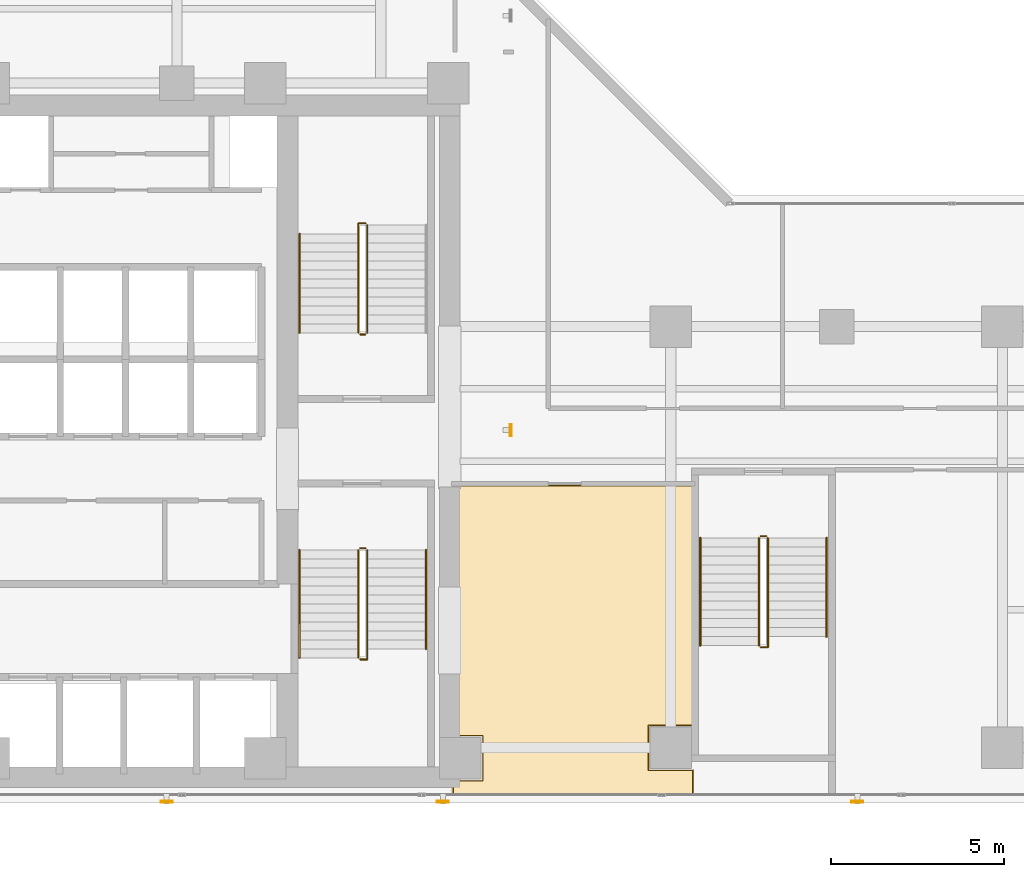
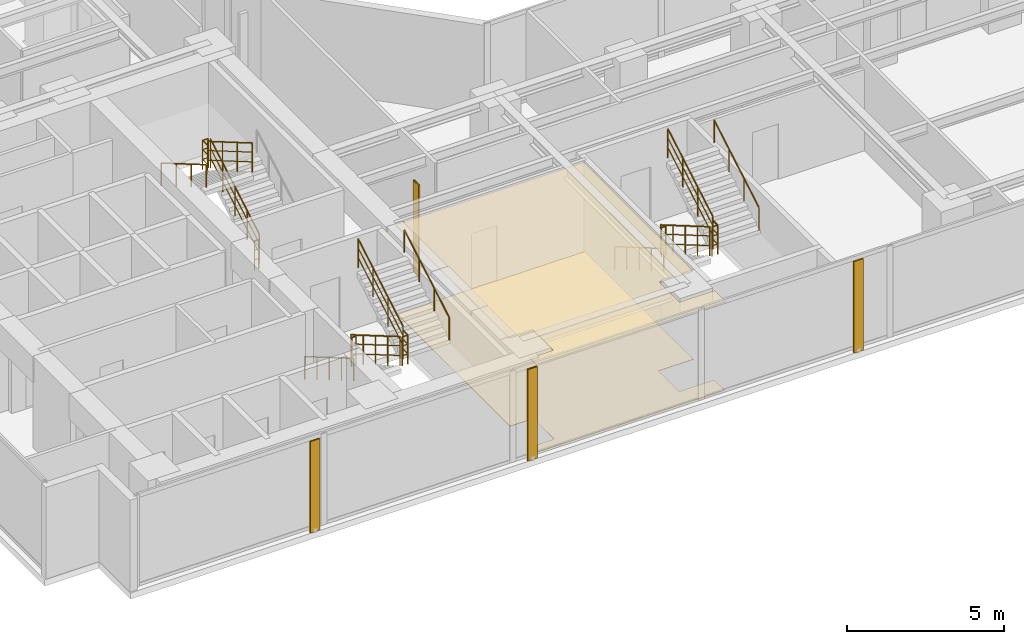
# One storey, part 23 of 26: 17 railings, 4 shading devices, 2 coverings.
"""IFC4 building model written with IfcOpenShell, lengths in metres."""

from ifc_helpers import new_model, si_unit, direction, frame, origin, origin_2d, place, context, subcontext, project, spatial, polyline, hollow_rectangle, circle, outline, extrude, material, layer, layer_set, material_profile, profile_set, type_object, element, save


model = new_model("IFC4")

# Units and contexts
model_context = context("Model", 3, precision=1e-05, world=origin(), true_north=direction((0.0, 1.0)))
body_context = subcontext(model_context, "Body", "Model", "MODEL_VIEW")
ifc_project = project(units=[si_unit("LENGTHUNIT", "METRE"), si_unit("AREAUNIT", "SQUARE_METRE"), si_unit("VOLUMEUNIT", "CUBIC_METRE"), si_unit("PLANEANGLEUNIT", "RADIAN"), si_unit("MASSUNIT", "GRAM", prefix="KILO")], contexts=[model_context])

# Site, building, storey
site_placement = place(None, origin())
site = spatial("IfcSite", under=ifc_project, at=site_placement, CompositionType="ELEMENT")
building_placement = place(site_placement, origin())
building = spatial("IfcBuilding", under=site, at=building_placement, Name="Kolvaren Waterfront Exchange", CompositionType="ELEMENT")
storey_placement = place(building_placement, frame((0.0, 0.0, 180.39990234375)))
storey = spatial("IfcBuildingStorey", under=building, at=storey_placement, Name="L46", CompositionType="ELEMENT", Elevation=180.39990234375)

# Covering
ifc_material_1 = material(Name="Mineral fibre acoustic ceiling tile")
ifc_layer_1 = layer(ifc_material_1, 0.02490234375, Name="Mineral fibre acoustic ceiling tile")
ifc_layer_set_1 = layer_set([ifc_layer_1], Name="Mineral fibre acoustic ceiling tile")
covering_type_1 = type_object("IfcCoveringType", Name="ARC-CEIL-ACOUSTIC-25", PredefinedType="CEILING", material=ifc_layer_set_1)
covering_1_placement = place(storey_placement, frame((0.0, 0.0, 3.445068359375)))
element("IfcCovering", 1, at=covering_1_placement, inside=storey, type_object=covering_type_1, Name="L46 acoustic suspended ceiling 3", PredefinedType="CEILING", context=body_context, shape_type="SweptSolid", body=[
    extrude(outline(polyline([(20.864990234375, 5.5400390625), (21.739990234375, 5.5400390625), (21.739990234375, 4.260009765625), (20.864990234375, 4.260009765625), (20.864990234375, 3.844970703125), (27.85498046875, 3.844970703125), (27.85498046875, 4.574951171875), (27.840087890625, 4.574951171875), (27.840087890625, 4.56005859375), (26.56005859375, 4.56005859375), (26.56005859375, 5.840087890625), (27.800048828125, 5.840087890625), (27.800048828125, 12.81494140625), (20.864990234375, 12.81494140625), (20.864990234375, 5.5400390625)])), origin(), (0.0, 0.0, 1.0), 0.025146484375),
])

# Shading devices
ifc_material_2 = material(Name="Anodised bronze aluminium 6063-T6", Category="aluminium")
ifc_material_profile = material_profile(ifc_material_2, hollow_rectangle(XDim=0.06005859375, YDim=0.35009765625, WallThickness=0.0048828125, at=origin_2d()), Name="BRZ-FIN-350x60x5")
ifc_profile_set = profile_set([ifc_material_profile], Name="Anodised bronze aluminium 6063-T6")
shading_device_type = type_object("IfcShadingDeviceType", Name="ARC-FIN-350", PredefinedType="USERDEFINED", material=ifc_profile_set)
for number, where, z_axis, x_axis, name in (
    (2, (12.60009765625, 3.639892578125, 0.0), (0.0, 0.0, 1.0), (0.0, -1.0, 0.0), "L46 anodised bronze solar shading fin FIN-L46-S1"),
    (3, (20.60009765625, 3.639892578125, 0.0), (0.0, 0.0, 1.0), (0.0, -1.0, 0.0), "L46 anodised bronze solar shading fin FIN-L46-S2"),
    (4, (32.60009765625, 3.639892578125, 0.0), (0.0, 0.0, 1.0), (0.0, -1.0, 0.0), "L46 anodised bronze solar shading fin FIN-L46-S3"),
    (5, (22.56005859375, 14.39990234375, 0.0), (0.0, 0.0, 1.0), (1.0, 0.0, 0.0), "L46 anodised bronze solar shading fin FIN-L46-E1"),
):
    element("IfcShadingDevice", number, at=place(storey_placement, frame(where, z_axis=z_axis, x_axis=x_axis)), inside=storey, type_object=shading_device_type, Name=name, ObjectType="SOLAR FIN", PredefinedType="USERDEFINED", context=body_context, shape_type="SweptSolid", body=[
        extrude(hollow_rectangle(XDim=0.06005859375, YDim=0.35009765625, WallThickness=0.0048828125, at=origin_2d()), origin(), (0.0, 0.0, 1.0), 3.56005859375),
    ])

# Covering
ifc_material_3 = material(Name="Slip-resistant porcelain tile")
ifc_layer_2 = layer(ifc_material_3, 0.014892578125, Name="Slip-resistant porcelain tile")
ifc_layer_set_2 = layer_set([ifc_layer_2], Name="Slip-resistant porcelain tile")
covering_type_2 = type_object("IfcCoveringType", Name="ARC-FLR-PORC-15", PredefinedType="FLOORING", material=ifc_layer_set_2)
covering_2_placement = place(storey_placement, origin())
element("IfcCovering", 6, at=covering_2_placement, inside=storey, type_object=covering_type_2, Name="L46 floor finish 3", PredefinedType="FLOORING", context=body_context, shape_type="SweptSolid", body=[
    extrude(outline(polyline([(20.89990234375, 4.239990234375), (20.89990234375, 3.8798828125), (27.820068359375, 3.8798828125), (27.820068359375, 4.5400390625), (26.5400390625, 4.5400390625), (26.5400390625, 5.860107421875), (27.820068359375, 5.860107421875), (27.820068359375, 12.780029296875), (20.89990234375, 12.780029296875), (20.89990234375, 5.56005859375), (21.760009765625, 5.56005859375), (21.760009765625, 4.239990234375), (20.89990234375, 4.239990234375)])), origin(), (0.0, 0.0, 1.0), 0.01513671875),
])

# Railings
ifc_material_4 = material(Name="Stainless steel 316", Category="steel")
railing_type_1 = type_object("IfcRailingType", Name="ARC-GUARD-STAIR", PredefinedType="GUARDRAIL", material=ifc_material_4)
railing_1_placement = place(storey_placement, frame((18.14990234375, 10.929931640625, 0.152099609375)))
element("IfcRailing", 7, at=railing_1_placement, inside=storey, type_object=railing_type_1, Name="L46 ST1 stair guard 1", PredefinedType="GUARDRAIL", context=body_context, shape_type="SweptSolid", body=[
    extrude(circle(Radius=0.02392578125, at=origin_2d()), frame((0.0, 0.0, 1.1259765625), z_axis=(0.0, -0.86329090724, 0.504706656858), x_axis=(1.0, 0.0, 0.0)), (0.0, 0.0, 1.0), 3.614013671875),
    extrude(circle(Radius=0.01611328125, at=origin_2d()), frame((0.0, 0.0, 0.390869140625), z_axis=(0.0, -0.86329090724, 0.504706656858), x_axis=(1.0, 0.0, 0.0)), (0.0, 0.0, 1.0), 3.614013671875),
    extrude(circle(Radius=0.01611328125, at=origin_2d()), frame((0.0, 0.0, 0.7705078125), z_axis=(0.0, -0.86329090724, 0.504706656858), x_axis=(1.0, 0.0, 0.0)), (0.0, 0.0, 1.0), 3.614013671875),
    extrude(circle(Radius=0.02099609375, at=origin_2d()), origin(), (0.0, 0.0, 1.0), 1.101806640625),
    extrude(circle(Radius=0.02099609375, at=origin_2d()), frame((0.0, -0.780029296875, 0.4560546875)), (0.0, 0.0, 1.0), 1.101806640625),
    extrude(circle(Radius=0.02099609375, at=origin_2d()), frame((0.0, -1.56005859375, 0.912109375)), (0.0, 0.0, 1.0), 1.101806640625),
    extrude(circle(Radius=0.02099609375, at=origin_2d()), frame((0.0, -2.33984375, 1.367919921875)), (0.0, 0.0, 1.0), 1.101806640625),
    extrude(circle(Radius=0.02099609375, at=origin_2d()), frame((0.0, -3.119873046875, 1.823974609375)), (0.0, 0.0, 1.0), 1.101806640625),
])
railing_2_placement = place(storey_placement, frame((18.199951171875, 7.760009765625, 1.97607421875)))
element("IfcRailing", 8, at=railing_2_placement, inside=storey, type_object=railing_type_1, Name="L46 ST1 stair guard 2", PredefinedType="GUARDRAIL", context=body_context, shape_type="SweptSolid", body=[
    extrude(circle(Radius=0.02392578125, at=origin_2d()), frame((0.0, 0.0, 1.1259765625), z_axis=(1.0, 0.0, 0.0), x_axis=(0.0, 1.0, 0.0)), (0.0, 0.0, 1.0), 0.2099609375),
    extrude(circle(Radius=0.01611328125, at=origin_2d()), frame((0.0, 0.0, 0.390869140625), z_axis=(1.0, 0.0, 0.0), x_axis=(0.0, 1.0, 0.0)), (0.0, 0.0, 1.0), 0.2099609375),
    extrude(circle(Radius=0.01611328125, at=origin_2d()), frame((0.0, 0.0, 0.7705078125), z_axis=(1.0, 0.0, 0.0), x_axis=(0.0, 1.0, 0.0)), (0.0, 0.0, 1.0), 0.2099609375),
    extrude(circle(Radius=0.02392578125, at=origin_2d()), frame((0.2099609375, 0.0, 1.1259765625), z_axis=(0.0, 1.0, 0.0), x_axis=(-1.0, 0.0, 0.0)), (0.0, 0.0, 1.0), 0.31005859375),
    extrude(circle(Radius=0.01611328125, at=origin_2d()), frame((0.2099609375, 0.0, 0.390869140625), z_axis=(0.0, 1.0, 0.0), x_axis=(-1.0, 0.0, 0.0)), (0.0, 0.0, 1.0), 0.31005859375),
    extrude(circle(Radius=0.01611328125, at=origin_2d()), frame((0.2099609375, 0.0, 0.7705078125), z_axis=(0.0, 1.0, 0.0), x_axis=(-1.0, 0.0, 0.0)), (0.0, 0.0, 1.0), 0.31005859375),
    extrude(circle(Radius=0.02099609375, at=origin_2d()), origin(), (0.0, 0.0, 1.0), 1.101806640625),
    extrude(circle(Radius=0.02099609375, at=origin_2d()), frame((0.2099609375, 0.0, 0.0)), (0.0, 0.0, 1.0), 1.101806640625),
    extrude(circle(Radius=0.02099609375, at=origin_2d()), frame((0.2099609375, 0.31005859375, 0.0)), (0.0, 0.0, 1.0), 1.101806640625),
])
railing_3_placement = place(storey_placement, frame((18.409912109375, 8.070068359375, 2.128173828125)))
element("IfcRailing", 9, at=railing_3_placement, inside=storey, type_object=railing_type_1, Name="L46 ST1 stair guard 3", PredefinedType="GUARDRAIL", context=body_context, shape_type="SweptSolid", body=[
    extrude(circle(Radius=0.02392578125, at=origin_2d()), frame((0.0, 0.0, 1.1259765625), z_axis=(0.0, 0.86330272217, 0.504686447108), x_axis=(-1.0, 0.0, 0.0)), (0.0, 0.0, 1.0), 3.312744140625),
    extrude(circle(Radius=0.01611328125, at=origin_2d()), frame((0.0, 0.0, 0.390869140625), z_axis=(0.0, 0.86330272217, 0.504686447108), x_axis=(-1.0, 0.0, 0.0)), (0.0, 0.0, 1.0), 3.312744140625),
    extrude(circle(Radius=0.01611328125, at=origin_2d()), frame((0.0, 0.0, 0.7705078125), z_axis=(0.0, 0.86330272217, 0.504686447108), x_axis=(-1.0, 0.0, 0.0)), (0.0, 0.0, 1.0), 3.312744140625),
    extrude(circle(Radius=0.02099609375, at=origin_2d()), origin(), (0.0, 0.0, 1.0), 1.101806640625),
    extrude(circle(Radius=0.02099609375, at=origin_2d()), frame((0.0, 0.953369140625, 0.557373046875)), (0.0, 0.0, 1.0), 1.101806640625),
    extrude(circle(Radius=0.02099609375, at=origin_2d()), frame((0.0, 1.906494140625, 1.114501953125)), (0.0, 0.0, 1.0), 1.101806640625),
    extrude(circle(Radius=0.02099609375, at=origin_2d()), frame((0.0, 2.85986328125, 1.671875)), (0.0, 0.0, 1.0), 1.101806640625),
])
railing_4_placement = place(storey_placement, frame((18.199951171875, 10.97998046875, 0.0)))
element("IfcRailing", 10, at=railing_4_placement, inside=storey, type_object=railing_type_1, Name="L46 ST1 stair guard 4", PredefinedType="GUARDRAIL", context=body_context, shape_type="SweptSolid", body=[
    extrude(circle(Radius=0.02392578125, at=origin_2d()), frame((0.0, 0.0, 1.1259765625), z_axis=(1.0, 0.0, 0.0), x_axis=(0.0, 1.0, 0.0)), (0.0, 0.0, 1.0), 0.16015625),
    extrude(circle(Radius=0.01611328125, at=origin_2d()), frame((0.0, 0.0, 0.390869140625), z_axis=(1.0, 0.0, 0.0), x_axis=(0.0, 1.0, 0.0)), (0.0, 0.0, 1.0), 0.16015625),
    extrude(circle(Radius=0.01611328125, at=origin_2d()), frame((0.0, 0.0, 0.7705078125), z_axis=(1.0, 0.0, 0.0), x_axis=(0.0, 1.0, 0.0)), (0.0, 0.0, 1.0), 0.16015625),
    extrude(circle(Radius=0.02099609375, at=origin_2d()), origin(), (0.0, 0.0, 1.0), 1.101806640625),
    extrude(circle(Radius=0.02099609375, at=origin_2d()), frame((0.16015625, 0.0, 0.0)), (0.0, 0.0, 1.0), 1.101806640625),
])
railing_5_placement = place(storey_placement, frame((18.409912109375, 17.219970703125, 0.152099609375)))
element("IfcRailing", 11, at=railing_5_placement, inside=storey, type_object=railing_type_1, Name="L46 ST2 stair guard 1", PredefinedType="GUARDRAIL", context=body_context, shape_type="SweptSolid", body=[
    extrude(circle(Radius=0.02392578125, at=origin_2d()), frame((0.0, 0.0, 1.1259765625), z_axis=(0.0, 0.86330811405, 0.504677223793), x_axis=(-1.0, 0.0, 0.0)), (0.0, 0.0, 1.0), 3.6142578125),
    extrude(circle(Radius=0.01611328125, at=origin_2d()), frame((0.0, 0.0, 0.390869140625), z_axis=(0.0, 0.86330811405, 0.504677223793), x_axis=(-1.0, 0.0, 0.0)), (0.0, 0.0, 1.0), 3.6142578125),
    extrude(circle(Radius=0.01611328125, at=origin_2d()), frame((0.0, 0.0, 0.7705078125), z_axis=(0.0, 0.86330811405, 0.504677223793), x_axis=(-1.0, 0.0, 0.0)), (0.0, 0.0, 1.0), 3.6142578125),
    extrude(circle(Radius=0.02099609375, at=origin_2d()), origin(), (0.0, 0.0, 1.0), 1.101806640625),
    extrude(circle(Radius=0.02099609375, at=origin_2d()), frame((0.0, 0.780029296875, 0.4560546875)), (0.0, 0.0, 1.0), 1.101806640625),
    extrude(circle(Radius=0.02099609375, at=origin_2d()), frame((0.0, 1.56005859375, 0.912109375)), (0.0, 0.0, 1.0), 1.101806640625),
    extrude(circle(Radius=0.02099609375, at=origin_2d()), frame((0.0, 2.340087890625, 1.367919921875)), (0.0, 0.0, 1.0), 1.101806640625),
    extrude(circle(Radius=0.02099609375, at=origin_2d()), frame((0.0, 3.1201171875, 1.823974609375)), (0.0, 0.0, 1.0), 1.101806640625),
])
railing_6_placement = place(storey_placement, frame((18.360107421875, 20.389892578125, 1.97607421875)))
element("IfcRailing", 12, at=railing_6_placement, inside=storey, type_object=railing_type_1, Name="L46 ST2 stair guard 2", PredefinedType="GUARDRAIL", context=body_context, shape_type="SweptSolid", body=[
    extrude(circle(Radius=0.02392578125, at=origin_2d()), frame((0.0, 0.0, 1.1259765625), z_axis=(-1.0, 0.0, 0.0), x_axis=(0.0, -1.0, 0.0)), (0.0, 0.0, 1.0), 0.210205078125),
    extrude(circle(Radius=0.01611328125, at=origin_2d()), frame((0.0, 0.0, 0.390869140625), z_axis=(-1.0, 0.0, 0.0), x_axis=(0.0, -1.0, 0.0)), (0.0, 0.0, 1.0), 0.210205078125),
    extrude(circle(Radius=0.01611328125, at=origin_2d()), frame((0.0, 0.0, 0.7705078125), z_axis=(-1.0, 0.0, 0.0), x_axis=(0.0, -1.0, 0.0)), (0.0, 0.0, 1.0), 0.210205078125),
    extrude(circle(Radius=0.02392578125, at=origin_2d()), frame((-0.210205078125, 0.0, 1.1259765625), z_axis=(0.0, -1.0, 0.0), x_axis=(1.0, 0.0, 0.0)), (0.0, 0.0, 1.0), 0.309814453125),
    extrude(circle(Radius=0.01611328125, at=origin_2d()), frame((-0.210205078125, 0.0, 0.390869140625), z_axis=(0.0, -1.0, 0.0), x_axis=(1.0, 0.0, 0.0)), (0.0, 0.0, 1.0), 0.309814453125),
    extrude(circle(Radius=0.01611328125, at=origin_2d()), frame((-0.210205078125, 0.0, 0.7705078125), z_axis=(0.0, -1.0, 0.0), x_axis=(1.0, 0.0, 0.0)), (0.0, 0.0, 1.0), 0.309814453125),
    extrude(circle(Radius=0.02099609375, at=origin_2d()), origin(), (0.0, 0.0, 1.0), 1.101806640625),
    extrude(circle(Radius=0.02099609375, at=origin_2d()), frame((-0.210205078125, 0.0, 0.0)), (0.0, 0.0, 1.0), 1.101806640625),
    extrude(circle(Radius=0.02099609375, at=origin_2d()), frame((-0.210205078125, -0.309814453125, 0.0)), (0.0, 0.0, 1.0), 1.101806640625),
])
railing_7_placement = place(storey_placement, frame((18.14990234375, 20.080078125, 2.128173828125)))
element("IfcRailing", 13, at=railing_7_placement, inside=storey, type_object=railing_type_1, Name="L46 ST2 stair guard 3", PredefinedType="GUARDRAIL", context=body_context, shape_type="SweptSolid", body=[
    extrude(circle(Radius=0.02392578125, at=origin_2d()), frame((0.0, 0.0, 1.1259765625), z_axis=(0.0, -0.863321491973, 0.504654338629), x_axis=(1.0, 0.0, 0.0)), (0.0, 0.0, 1.0), 3.31298828125),
    extrude(circle(Radius=0.01611328125, at=origin_2d()), frame((0.0, 0.0, 0.390869140625), z_axis=(0.0, -0.863321491973, 0.504654338629), x_axis=(1.0, 0.0, 0.0)), (0.0, 0.0, 1.0), 3.31298828125),
    extrude(circle(Radius=0.01611328125, at=origin_2d()), frame((0.0, 0.0, 0.7705078125), z_axis=(0.0, -0.863321491973, 0.504654338629), x_axis=(1.0, 0.0, 0.0)), (0.0, 0.0, 1.0), 3.31298828125),
    extrude(circle(Radius=0.02099609375, at=origin_2d()), origin(), (0.0, 0.0, 1.0), 1.101806640625),
    extrude(circle(Radius=0.02099609375, at=origin_2d()), frame((0.0, -0.953369140625, 0.557373046875)), (0.0, 0.0, 1.0), 1.101806640625),
    extrude(circle(Radius=0.02099609375, at=origin_2d()), frame((0.0, -1.90673828125, 1.114501953125)), (0.0, 0.0, 1.0), 1.101806640625),
    extrude(circle(Radius=0.02099609375, at=origin_2d()), frame((0.0, -2.860107421875, 1.671875)), (0.0, 0.0, 1.0), 1.101806640625),
])
railing_8_placement = place(storey_placement, frame((18.360107421875, 17.169921875, 0.0)))
element("IfcRailing", 14, at=railing_8_placement, inside=storey, type_object=railing_type_1, Name="L46 ST2 stair guard 4", PredefinedType="GUARDRAIL", context=body_context, shape_type="SweptSolid", body=[
    extrude(circle(Radius=0.02392578125, at=origin_2d()), frame((0.0, 0.0, 1.1259765625), z_axis=(-1.0, 0.0, 0.0), x_axis=(0.0, -1.0, 0.0)), (0.0, 0.0, 1.0), 0.16015625),
    extrude(circle(Radius=0.01611328125, at=origin_2d()), frame((0.0, 0.0, 0.390869140625), z_axis=(-1.0, 0.0, 0.0), x_axis=(0.0, -1.0, 0.0)), (0.0, 0.0, 1.0), 0.16015625),
    extrude(circle(Radius=0.01611328125, at=origin_2d()), frame((0.0, 0.0, 0.7705078125), z_axis=(-1.0, 0.0, 0.0), x_axis=(0.0, -1.0, 0.0)), (0.0, 0.0, 1.0), 0.16015625),
    extrude(circle(Radius=0.02099609375, at=origin_2d()), origin(), (0.0, 0.0, 1.0), 1.101806640625),
    extrude(circle(Radius=0.02099609375, at=origin_2d()), frame((-0.16015625, 0.0, 0.0)), (0.0, 0.0, 1.0), 1.101806640625),
])
railing_9_placement = place(storey_placement, frame((29.75, 11.280029296875, 0.152099609375)))
element("IfcRailing", 15, at=railing_9_placement, inside=storey, type_object=railing_type_1, Name="L46 ST3 stair guard 1", PredefinedType="GUARDRAIL", context=body_context, shape_type="SweptSolid", body=[
    extrude(circle(Radius=0.02392578125, at=origin_2d()), frame((0.0, 0.0, 1.1259765625), z_axis=(0.0, -0.86330811405, 0.504677223793), x_axis=(1.0, 0.0, 0.0)), (0.0, 0.0, 1.0), 3.6142578125),
    extrude(circle(Radius=0.01611328125, at=origin_2d()), frame((0.0, 0.0, 0.390869140625), z_axis=(0.0, -0.86330811405, 0.504677223793), x_axis=(1.0, 0.0, 0.0)), (0.0, 0.0, 1.0), 3.6142578125),
    extrude(circle(Radius=0.01611328125, at=origin_2d()), frame((0.0, 0.0, 0.7705078125), z_axis=(0.0, -0.86330811405, 0.504677223793), x_axis=(1.0, 0.0, 0.0)), (0.0, 0.0, 1.0), 3.6142578125),
    extrude(circle(Radius=0.02099609375, at=origin_2d()), origin(), (0.0, 0.0, 1.0), 1.101806640625),
    extrude(circle(Radius=0.02099609375, at=origin_2d()), frame((0.0, -0.780029296875, 0.4560546875)), (0.0, 0.0, 1.0), 1.101806640625),
    extrude(circle(Radius=0.02099609375, at=origin_2d()), frame((0.0, -1.56005859375, 0.912109375)), (0.0, 0.0, 1.0), 1.101806640625),
    extrude(circle(Radius=0.02099609375, at=origin_2d()), frame((0.0, -2.340087890625, 1.367919921875)), (0.0, 0.0, 1.0), 1.101806640625),
    extrude(circle(Radius=0.02099609375, at=origin_2d()), frame((0.0, -3.1201171875, 1.823974609375)), (0.0, 0.0, 1.0), 1.101806640625),
])
railing_10_placement = place(storey_placement, frame((29.800048828125, 8.110107421875, 1.97607421875)))
element("IfcRailing", 16, at=railing_10_placement, inside=storey, type_object=railing_type_1, Name="L46 ST3 stair guard 2", PredefinedType="GUARDRAIL", context=body_context, shape_type="SweptSolid", body=[
    extrude(circle(Radius=0.02392578125, at=origin_2d()), frame((0.0, 0.0, 1.1259765625), z_axis=(1.0, 0.0, 0.0), x_axis=(0.0, 1.0, 0.0)), (0.0, 0.0, 1.0), 0.2099609375),
    extrude(circle(Radius=0.01611328125, at=origin_2d()), frame((0.0, 0.0, 0.390869140625), z_axis=(1.0, 0.0, 0.0), x_axis=(0.0, 1.0, 0.0)), (0.0, 0.0, 1.0), 0.2099609375),
    extrude(circle(Radius=0.01611328125, at=origin_2d()), frame((0.0, 0.0, 0.7705078125), z_axis=(1.0, 0.0, 0.0), x_axis=(0.0, 1.0, 0.0)), (0.0, 0.0, 1.0), 0.2099609375),
    extrude(circle(Radius=0.02392578125, at=origin_2d()), frame((0.2099609375, 0.0, 1.1259765625), z_axis=(0.0, 1.0, 0.0), x_axis=(-1.0, 0.0, 0.0)), (0.0, 0.0, 1.0), 0.309814453125),
    extrude(circle(Radius=0.01611328125, at=origin_2d()), frame((0.2099609375, 0.0, 0.390869140625), z_axis=(0.0, 1.0, 0.0), x_axis=(-1.0, 0.0, 0.0)), (0.0, 0.0, 1.0), 0.309814453125),
    extrude(circle(Radius=0.01611328125, at=origin_2d()), frame((0.2099609375, 0.0, 0.7705078125), z_axis=(0.0, 1.0, 0.0), x_axis=(-1.0, 0.0, 0.0)), (0.0, 0.0, 1.0), 0.309814453125),
    extrude(circle(Radius=0.02099609375, at=origin_2d()), origin(), (0.0, 0.0, 1.0), 1.101806640625),
    extrude(circle(Radius=0.02099609375, at=origin_2d()), frame((0.2099609375, 0.0, 0.0)), (0.0, 0.0, 1.0), 1.101806640625),
    extrude(circle(Radius=0.02099609375, at=origin_2d()), frame((0.2099609375, 0.309814453125, 0.0)), (0.0, 0.0, 1.0), 1.101806640625),
])
railing_11_placement = place(storey_placement, frame((30.010009765625, 8.419921875, 2.128173828125)))
element("IfcRailing", 17, at=railing_11_placement, inside=storey, type_object=railing_type_1, Name="L46 ST3 stair guard 3", PredefinedType="GUARDRAIL", context=body_context, shape_type="SweptSolid", body=[
    extrude(circle(Radius=0.02392578125, at=origin_2d()), frame((0.0, 0.0, 1.1259765625), z_axis=(0.0, 0.863321491973, 0.504654338629), x_axis=(-1.0, 0.0, 0.0)), (0.0, 0.0, 1.0), 3.31298828125),
    extrude(circle(Radius=0.01611328125, at=origin_2d()), frame((0.0, 0.0, 0.390869140625), z_axis=(0.0, 0.863321491973, 0.504654338629), x_axis=(-1.0, 0.0, 0.0)), (0.0, 0.0, 1.0), 3.31298828125),
    extrude(circle(Radius=0.01611328125, at=origin_2d()), frame((0.0, 0.0, 0.7705078125), z_axis=(0.0, 0.863321491973, 0.504654338629), x_axis=(-1.0, 0.0, 0.0)), (0.0, 0.0, 1.0), 3.31298828125),
    extrude(circle(Radius=0.02099609375, at=origin_2d()), origin(), (0.0, 0.0, 1.0), 1.101806640625),
    extrude(circle(Radius=0.02099609375, at=origin_2d()), frame((0.0, 0.953369140625, 0.557373046875)), (0.0, 0.0, 1.0), 1.101806640625),
    extrude(circle(Radius=0.02099609375, at=origin_2d()), frame((0.0, 1.90673828125, 1.114501953125)), (0.0, 0.0, 1.0), 1.101806640625),
    extrude(circle(Radius=0.02099609375, at=origin_2d()), frame((0.0, 2.860107421875, 1.671875)), (0.0, 0.0, 1.0), 1.101806640625),
])
railing_12_placement = place(storey_placement, frame((29.800048828125, 11.330078125, 0.0)))
element("IfcRailing", 18, at=railing_12_placement, inside=storey, type_object=railing_type_1, Name="L46 ST3 stair guard 4", PredefinedType="GUARDRAIL", context=body_context, shape_type="SweptSolid", body=[
    extrude(circle(Radius=0.02392578125, at=origin_2d()), frame((0.0, 0.0, 1.1259765625), z_axis=(1.0, 0.0, 0.0), x_axis=(0.0, 1.0, 0.0)), (0.0, 0.0, 1.0), 0.159912109375),
    extrude(circle(Radius=0.01611328125, at=origin_2d()), frame((0.0, 0.0, 0.390869140625), z_axis=(1.0, 0.0, 0.0), x_axis=(0.0, 1.0, 0.0)), (0.0, 0.0, 1.0), 0.159912109375),
    extrude(circle(Radius=0.01611328125, at=origin_2d()), frame((0.0, 0.0, 0.7705078125), z_axis=(1.0, 0.0, 0.0), x_axis=(0.0, 1.0, 0.0)), (0.0, 0.0, 1.0), 0.159912109375),
    extrude(circle(Radius=0.02099609375, at=origin_2d()), origin(), (0.0, 0.0, 1.0), 1.101806640625),
    extrude(circle(Radius=0.02099609375, at=origin_2d()), frame((0.159912109375, 0.0, 0.0)), (0.0, 0.0, 1.0), 1.101806640625),
])
railing_type_2 = type_object("IfcRailingType", Name="ARC-HANDRAIL-900", PredefinedType="HANDRAIL", material=ifc_material_4)
railing_13_placement = place(storey_placement, frame((16.449951171875, 10.929931640625, 0.152099609375)))
element("IfcRailing", 19, at=railing_13_placement, inside=storey, type_object=railing_type_2, Name="L46 ST1 stair handrail 1", PredefinedType="HANDRAIL", context=body_context, shape_type="SweptSolid", body=[
    extrude(circle(Radius=0.02392578125, at=origin_2d()), frame((0.0, 0.0, 0.8759765625), z_axis=(0.0, -0.86329090724, 0.504706656858), x_axis=(1.0, 0.0, 0.0)), (0.0, 0.0, 1.0), 3.614013671875),
    extrude(circle(Radius=0.02099609375, at=origin_2d()), origin(), (0.0, 0.0, 1.0), 0.851806640625),
    extrude(circle(Radius=0.02099609375, at=origin_2d()), frame((0.0, -0.780029296875, 0.4560546875)), (0.0, 0.0, 1.0), 0.851806640625),
    extrude(circle(Radius=0.02099609375, at=origin_2d()), frame((0.0, -1.56005859375, 0.912109375)), (0.0, 0.0, 1.0), 0.851806640625),
    extrude(circle(Radius=0.02099609375, at=origin_2d()), frame((0.0, -2.33984375, 1.367919921875)), (0.0, 0.0, 1.0), 0.851806640625),
    extrude(circle(Radius=0.02099609375, at=origin_2d()), frame((0.0, -3.119873046875, 1.823974609375)), (0.0, 0.0, 1.0), 0.851806640625),
])
railing_14_placement = place(storey_placement, frame((20.110107421875, 8.070068359375, 2.128173828125)))
element("IfcRailing", 20, at=railing_14_placement, inside=storey, type_object=railing_type_2, Name="L46 ST1 stair handrail 2", PredefinedType="HANDRAIL", context=body_context, shape_type="SweptSolid", body=[
    extrude(circle(Radius=0.02392578125, at=origin_2d()), frame((0.0, 0.0, 0.8759765625), z_axis=(0.0, 0.86330272217, 0.504686447108), x_axis=(-1.0, 0.0, 0.0)), (0.0, 0.0, 1.0), 3.312744140625),
    extrude(circle(Radius=0.02099609375, at=origin_2d()), origin(), (0.0, 0.0, 1.0), 0.851806640625),
    extrude(circle(Radius=0.02099609375, at=origin_2d()), frame((0.0, 0.953369140625, 0.557373046875)), (0.0, 0.0, 1.0), 0.851806640625),
    extrude(circle(Radius=0.02099609375, at=origin_2d()), frame((0.0, 1.906494140625, 1.114501953125)), (0.0, 0.0, 1.0), 0.851806640625),
    extrude(circle(Radius=0.02099609375, at=origin_2d()), frame((0.0, 2.85986328125, 1.671875)), (0.0, 0.0, 1.0), 0.851806640625),
])
railing_15_placement = place(storey_placement, frame((16.449951171875, 20.080078125, 2.128173828125)))
element("IfcRailing", 21, at=railing_15_placement, inside=storey, type_object=railing_type_2, Name="L46 ST2 stair handrail 2", PredefinedType="HANDRAIL", context=body_context, shape_type="SweptSolid", body=[
    extrude(circle(Radius=0.02392578125, at=origin_2d()), frame((0.0, 0.0, 0.8759765625), z_axis=(0.0, -0.863321491973, 0.504654338629), x_axis=(1.0, 0.0, 0.0)), (0.0, 0.0, 1.0), 3.31298828125),
    extrude(circle(Radius=0.02099609375, at=origin_2d()), origin(), (0.0, 0.0, 1.0), 0.851806640625),
    extrude(circle(Radius=0.02099609375, at=origin_2d()), frame((0.0, -0.953369140625, 0.557373046875)), (0.0, 0.0, 1.0), 0.851806640625),
    extrude(circle(Radius=0.02099609375, at=origin_2d()), frame((0.0, -1.90673828125, 1.114501953125)), (0.0, 0.0, 1.0), 0.851806640625),
    extrude(circle(Radius=0.02099609375, at=origin_2d()), frame((0.0, -2.860107421875, 1.671875)), (0.0, 0.0, 1.0), 0.851806640625),
])
railing_16_placement = place(storey_placement, frame((28.050048828125, 11.280029296875, 0.152099609375)))
element("IfcRailing", 22, at=railing_16_placement, inside=storey, type_object=railing_type_2, Name="L46 ST3 stair handrail 1", PredefinedType="HANDRAIL", context=body_context, shape_type="SweptSolid", body=[
    extrude(circle(Radius=0.02392578125, at=origin_2d()), frame((0.0, 0.0, 0.8759765625), z_axis=(0.0, -0.86330811405, 0.504677223793), x_axis=(1.0, 0.0, 0.0)), (0.0, 0.0, 1.0), 3.6142578125),
    extrude(circle(Radius=0.02099609375, at=origin_2d()), origin(), (0.0, 0.0, 1.0), 0.851806640625),
    extrude(circle(Radius=0.02099609375, at=origin_2d()), frame((0.0, -0.780029296875, 0.4560546875)), (0.0, 0.0, 1.0), 0.851806640625),
    extrude(circle(Radius=0.02099609375, at=origin_2d()), frame((0.0, -1.56005859375, 0.912109375)), (0.0, 0.0, 1.0), 0.851806640625),
    extrude(circle(Radius=0.02099609375, at=origin_2d()), frame((0.0, -2.340087890625, 1.367919921875)), (0.0, 0.0, 1.0), 0.851806640625),
    extrude(circle(Radius=0.02099609375, at=origin_2d()), frame((0.0, -3.1201171875, 1.823974609375)), (0.0, 0.0, 1.0), 0.851806640625),
])
railing_17_placement = place(storey_placement, frame((31.7099609375, 8.419921875, 2.128173828125)))
element("IfcRailing", 23, at=railing_17_placement, inside=storey, type_object=railing_type_2, Name="L46 ST3 stair handrail 2", PredefinedType="HANDRAIL", context=body_context, shape_type="SweptSolid", body=[
    extrude(circle(Radius=0.02392578125, at=origin_2d()), frame((0.0, 0.0, 0.8759765625), z_axis=(0.0, 0.863321491973, 0.504654338629), x_axis=(-1.0, 0.0, 0.0)), (0.0, 0.0, 1.0), 3.31298828125),
    extrude(circle(Radius=0.02099609375, at=origin_2d()), origin(), (0.0, 0.0, 1.0), 0.851806640625),
    extrude(circle(Radius=0.02099609375, at=origin_2d()), frame((0.0, 0.953369140625, 0.557373046875)), (0.0, 0.0, 1.0), 0.851806640625),
    extrude(circle(Radius=0.02099609375, at=origin_2d()), frame((0.0, 1.90673828125, 1.114501953125)), (0.0, 0.0, 1.0), 0.851806640625),
    extrude(circle(Radius=0.02099609375, at=origin_2d()), frame((0.0, 2.860107421875, 1.671875)), (0.0, 0.0, 1.0), 0.851806640625),
])

save(model, "model.ifc")
